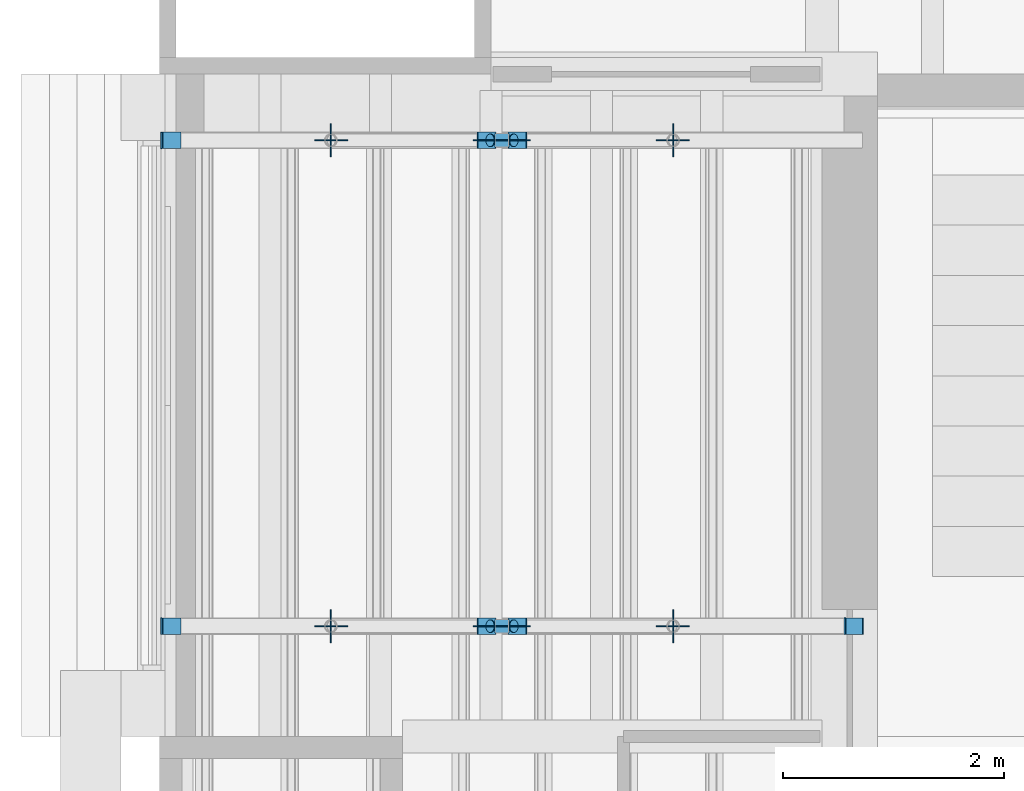
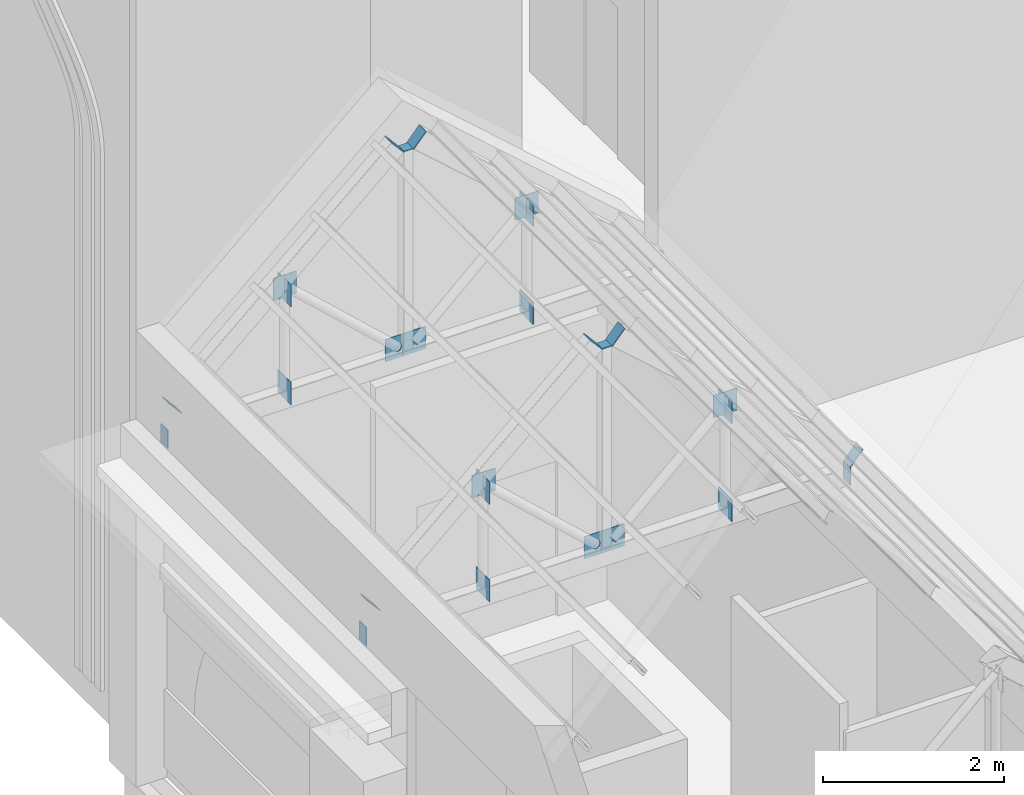
# One storey, part 104 of 118: 32 discrete accessories.
"""IFC4 building model written with IfcOpenShell, lengths in metres."""

from ifc_helpers import new_model, si_unit, direction, frame, origin, origin_2d, place, context, subcontext, project, spatial, rectangle, circle, extrude, material, material_profile, profile_set, type_object, element, save


model = new_model("IFC4")

# Units and contexts
model_context = context("Model", 3, precision=1e-05, world=origin(), true_north=direction((0.0, 1.0)))
body_context = subcontext(model_context, "Body", "Model", "MODEL_VIEW")
ifc_project = project(units=[si_unit("LENGTHUNIT", "METRE"), si_unit("AREAUNIT", "SQUARE_METRE"), si_unit("VOLUMEUNIT", "CUBIC_METRE"), si_unit("PLANEANGLEUNIT", "RADIAN"), si_unit("MASSUNIT", "GRAM", prefix="KILO")], contexts=[model_context])

# Site, building, storey
site_placement = place(None, origin())
site = spatial("IfcSite", under=ifc_project, at=site_placement, CompositionType="ELEMENT")
building_placement = place(site_placement, origin())
building = spatial("IfcBuilding", under=site, at=building_placement, Name="Saffron Lane Theatres", CompositionType="ELEMENT")
storey_placement = place(building_placement, frame((0.0, 0.0, 16.5)))
storey = spatial("IfcBuildingStorey", under=building, at=storey_placement, Name="L03", CompositionType="ELEMENT", Elevation=16.5)

# Discrete accessories
ifc_material_1 = material(Name="Steel Grade 350", Category="steel")
ifc_material_profile_1 = material_profile(ifc_material_1, rectangle(XDim=0.300048828125, YDim=0.300048828125, at=origin_2d()))
ifc_profile_set_1 = profile_set([ifc_material_profile_1], Name="Steel Grade 350")
discrete_accessory_type_1 = type_object("IfcDiscreteAccessoryType", Name="ST-GUSSET CONNECTION PLATE", PredefinedType="BRACKET", material=ifc_profile_set_1)
for number, where, z_axis, x_axis, name in (
    (1, (13.544921875, 85.0, 4.75), (1.0, 0.0, 0.0), (0.0, 1.0, 0.0), "GB257"),
    (2, (13.544921875, 85.0, 6.073486328125), (1.0, 0.0, 0.0), (0.0, 1.0, 0.0), "GB258"),
    (3, (16.64501953125, 85.0, 4.75), (1.0, 0.0, 0.0), (0.0, 1.0, 0.0), "GB259"),
    (4, (16.64501953125, 85.0, 6.073486328125), (1.0, 0.0, 0.0), (0.0, 1.0, 0.0), "GB260"),
):
    element("IfcDiscreteAccessory", number, at=place(storey_placement, frame(where, z_axis=z_axis, x_axis=x_axis)), inside=storey, type_object=discrete_accessory_type_1, Name=name, PredefinedType="BRACKET", context=body_context, shape_type="SweptSolid", body=[
        extrude(rectangle(XDim=0.300048828125, YDim=0.300048828125, at=origin_2d()), origin(), (0.0, 0.0, 1.0), 0.010009765625),
    ])
for number, where, z_axis, x_axis, name in (
    (5, (14.991943359375, 84.9951171875, 4.7919921875), (0.0, 1.0, 0.0), (-1.0, 0.0, 0.0), "GB261"),
    (6, (13.55419921875, 84.9951171875, 6.120361328125), (0.0, 1.0, 0.0), (-1.0, 0.0, 0.0), "GB262"),
    (7, (15.2080078125, 84.9951171875, 4.7919921875), (0.0, 1.0, 0.0), (-1.0, 0.0, 0.0), "GB263"),
    (8, (16.645751953125, 84.9951171875, 6.120361328125), (0.0, 1.0, 0.0), (-1.0, 0.0, 0.0), "GB264"),
):
    element("IfcDiscreteAccessory", number, at=place(storey_placement, frame(where, z_axis=z_axis, x_axis=x_axis)), inside=storey, type_object=discrete_accessory_type_1, Name=name, PredefinedType="BRACKET", context=body_context, shape_type="SweptSolid", body=[
        extrude(rectangle(XDim=0.300048828125, YDim=0.300048828125, at=origin_2d()), origin(), (0.0, 0.0, 1.0), 0.009765625),
    ])
for number, where, z_axis, x_axis, name in (
    (9, (13.544921875, 89.39990234375, 4.75), (1.0, 0.0, 0.0), (0.0, 1.0, 0.0), "GB265"),
    (10, (13.544921875, 89.39990234375, 6.073486328125), (1.0, 0.0, 0.0), (0.0, 1.0, 0.0), "GB266"),
    (11, (16.64501953125, 89.39990234375, 4.75), (1.0, 0.0, 0.0), (0.0, 1.0, 0.0), "GB267"),
    (12, (16.64501953125, 89.39990234375, 6.073486328125), (1.0, 0.0, 0.0), (0.0, 1.0, 0.0), "GB268"),
    (13, (14.991943359375, 89.39501953125, 4.7919921875), (0.0, 1.0, 0.0), (-1.0, 0.0, 0.0), "GB269"),
    (14, (13.55419921875, 89.39501953125, 6.120361328125), (0.0, 1.0, 0.0), (-1.0, 0.0, 0.0), "GB270"),
    (15, (15.2080078125, 89.39501953125, 4.7919921875), (0.0, 1.0, 0.0), (-1.0, 0.0, 0.0), "GB271"),
    (16, (16.645751953125, 89.39501953125, 6.120361328125), (0.0, 1.0, 0.0), (-1.0, 0.0, 0.0), "GB272"),
):
    element("IfcDiscreteAccessory", number, at=place(storey_placement, frame(where, z_axis=z_axis, x_axis=x_axis)), inside=storey, type_object=discrete_accessory_type_1, Name=name, PredefinedType="BRACKET", context=body_context, shape_type="SweptSolid", body=[
        extrude(rectangle(XDim=0.300048828125, YDim=0.300048828125, at=origin_2d()), origin(), (0.0, 0.0, 1.0), 0.010009765625),
    ])
ifc_material_2 = material(Name="Steel Grade 350", Category="steel")
ifc_material_profile_2 = material_profile(ifc_material_2, circle(Radius=0.05712890625, at=origin_2d()))
ifc_profile_set_2 = profile_set([ifc_material_profile_2], Name="Steel Grade 350")
discrete_accessory_type_2 = type_object("IfcDiscreteAccessoryType", Name="ST-STEEL END CAP 114.3x6.0 CHS", PredefinedType="ANCHORPLATE", material=ifc_profile_set_2)
discrete_accessory_1_placement = place(storey_placement, frame((15.0009765625, 85.0, 4.783935546875), z_axis=(-0.746295434469, 0.0, 0.665614846958), x_axis=(0.0, -1.0, 0.0)))
element("IfcDiscreteAccessory", 17, at=discrete_accessory_1_placement, inside=storey, type_object=discrete_accessory_type_2, Name="EC381", PredefinedType="ANCHORPLATE", context=body_context, shape_type="SweptSolid", body=[
    extrude(circle(Radius=0.05712890625, at=origin_2d()), origin(), (0.0, 0.0, 1.0), 0.01220703125),
])
discrete_accessory_2_placement = place(storey_placement, frame((15.19921875, 85.0, 4.783935546875), z_axis=(0.737154140201, 0.0, 0.675724628517), x_axis=(0.0, 1.0, 0.0)))
element("IfcDiscreteAccessory", 18, at=discrete_accessory_2_placement, inside=storey, type_object=discrete_accessory_type_2, Name="EC382", PredefinedType="ANCHORPLATE", context=body_context, shape_type="SweptSolid", body=[
    extrude(circle(Radius=0.05712890625, at=origin_2d()), origin(), (0.0, 0.0, 1.0), 0.011962890625),
])
discrete_accessory_3_placement = place(storey_placement, frame((15.0009765625, 89.39990234375, 4.783935546875), z_axis=(-0.746295434469, 0.0, 0.665614846958), x_axis=(0.0, -1.0, 0.0)))
element("IfcDiscreteAccessory", 19, at=discrete_accessory_3_placement, inside=storey, type_object=discrete_accessory_type_2, Name="EC388", PredefinedType="ANCHORPLATE", context=body_context, shape_type="SweptSolid", body=[
    extrude(circle(Radius=0.05712890625, at=origin_2d()), origin(), (0.0, 0.0, 1.0), 0.01220703125),
])
discrete_accessory_4_placement = place(storey_placement, frame((15.19921875, 89.39990234375, 4.783935546875), z_axis=(0.737154140201, 0.0, 0.675724628517), x_axis=(0.0, 1.0, 0.0)))
element("IfcDiscreteAccessory", 20, at=discrete_accessory_4_placement, inside=storey, type_object=discrete_accessory_type_2, Name="EC389", PredefinedType="ANCHORPLATE", context=body_context, shape_type="SweptSolid", body=[
    extrude(circle(Radius=0.05712890625, at=origin_2d()), origin(), (0.0, 0.0, 1.0), 0.011962890625),
])
ifc_material_3 = material(Name="Steel Grade 350", Category="steel")
ifc_material_profile_3 = material_profile(ifc_material_3, rectangle(XDim=0.125, YDim=0.125, at=origin_2d()))
ifc_profile_set_3 = profile_set([ifc_material_profile_3], Name="Steel Grade 350")
discrete_accessory_type_3 = type_object("IfcDiscreteAccessoryType", Name="ST-STEEL END CAP 125x125x6 SHS", PredefinedType="ANCHORPLATE", material=ifc_profile_set_3)
for number, where, z_axis, x_axis, name in (
    (21, (15.10009765625, 85.0, 7.44287109375), (0.0, 0.0, 1.0), (1.0, 0.0, 0.0), "EC380"),
    (22, (15.10009765625, 89.39990234375, 7.44287109375), (0.0, 0.0, 1.0), (1.0, 0.0, 0.0), "EC387"),
):
    element("IfcDiscreteAccessory", number, at=place(storey_placement, frame(where, z_axis=z_axis, x_axis=x_axis)), inside=storey, type_object=discrete_accessory_type_3, Name=name, PredefinedType="ANCHORPLATE", context=body_context, shape_type="SweptSolid", body=[
        extrude(rectangle(XDim=0.125, YDim=0.125, at=origin_2d()), origin(), (0.0, 0.0, 1.0), 0.01220703125),
    ])
ifc_material_4 = material(Name="Steel Grade 350", Category="steel")
ifc_material_profile_4 = material_profile(ifc_material_4, rectangle(XDim=0.14990234375, YDim=0.25, at=origin_2d()))
ifc_profile_set_4 = profile_set([ifc_material_profile_4], Name="Steel Grade 350")
discrete_accessory_type_4 = type_object("IfcDiscreteAccessoryType", Name="ST-STEEL END CAP 250x150x9 RHS", PredefinedType="ANCHORPLATE", material=ifc_profile_set_4)
for number, where, z_axis, x_axis, name in (
    (23, (12.008056640625, 85.0, 4.625), (1.0, 0.0, 0.0), (0.0, 1.0, 0.0), "EC374"),
    (24, (18.199951171875, 85.0, 4.625), (1.0, 0.0, 0.0), (0.0, 1.0, 0.0), "EC375"),
    (25, (12.10400390625, 85.0, 5.00927734375), (0.756363172452, 0.0, 0.654151932932), (0.0, 1.0, 0.0), "EC376"),
    (26, (14.95458984375, 85.0, 7.53662109375), (0.756363172452, 0.0, 0.654151932932), (0.0, 1.0, 0.0), "EC377"),
    (27, (18.2919921875, 85.0, 4.835693359375), (-0.756363172452, 0.0, 0.654151932932), (0.0, -1.0, 0.0), "EC378"),
    (28, (15.245361328125, 85.0, 7.53662109375), (-0.756363172452, 0.0, 0.654151932932), (0.0, -1.0, 0.0), "EC379"),
    (29, (12.008056640625, 89.39990234375, 4.625), (1.0, 0.0, 0.0), (0.0, 1.0, 0.0), "EC383"),
    (30, (12.10400390625, 89.39990234375, 5.00927734375), (0.756363172452, 0.0, 0.654151932932), (0.0, 1.0, 0.0), "EC384"),
    (31, (14.95458984375, 89.39990234375, 7.53662109375), (0.756363172452, 0.0, 0.654151932932), (0.0, 1.0, 0.0), "EC385"),
    (32, (15.245361328125, 89.39990234375, 7.53662109375), (-0.756363172452, 0.0, 0.654151932932), (0.0, -1.0, 0.0), "EC386"),
):
    element("IfcDiscreteAccessory", number, at=place(storey_placement, frame(where, z_axis=z_axis, x_axis=x_axis)), inside=storey, type_object=discrete_accessory_type_4, Name=name, PredefinedType="ANCHORPLATE", context=body_context, shape_type="SweptSolid", body=[
        extrude(rectangle(XDim=0.14990234375, YDim=0.25, at=origin_2d()), origin(), (0.0, 0.0, 1.0), 0.011962890625),
    ])

save(model, "model.ifc")
